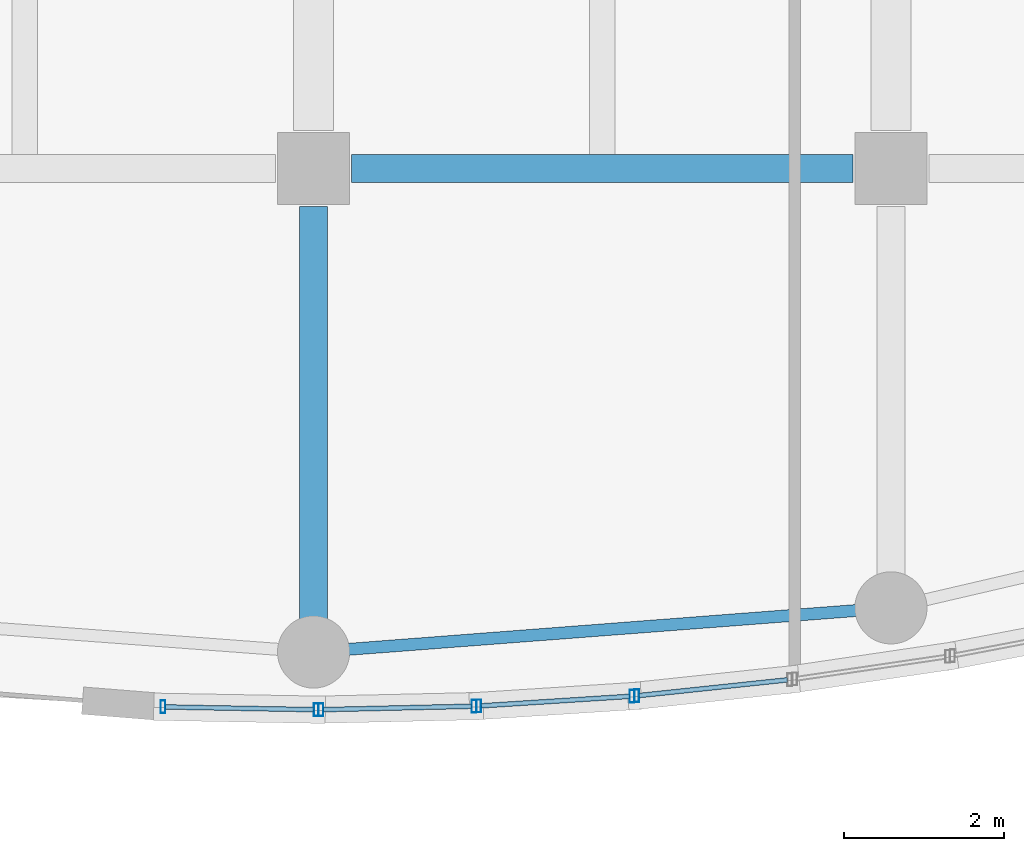
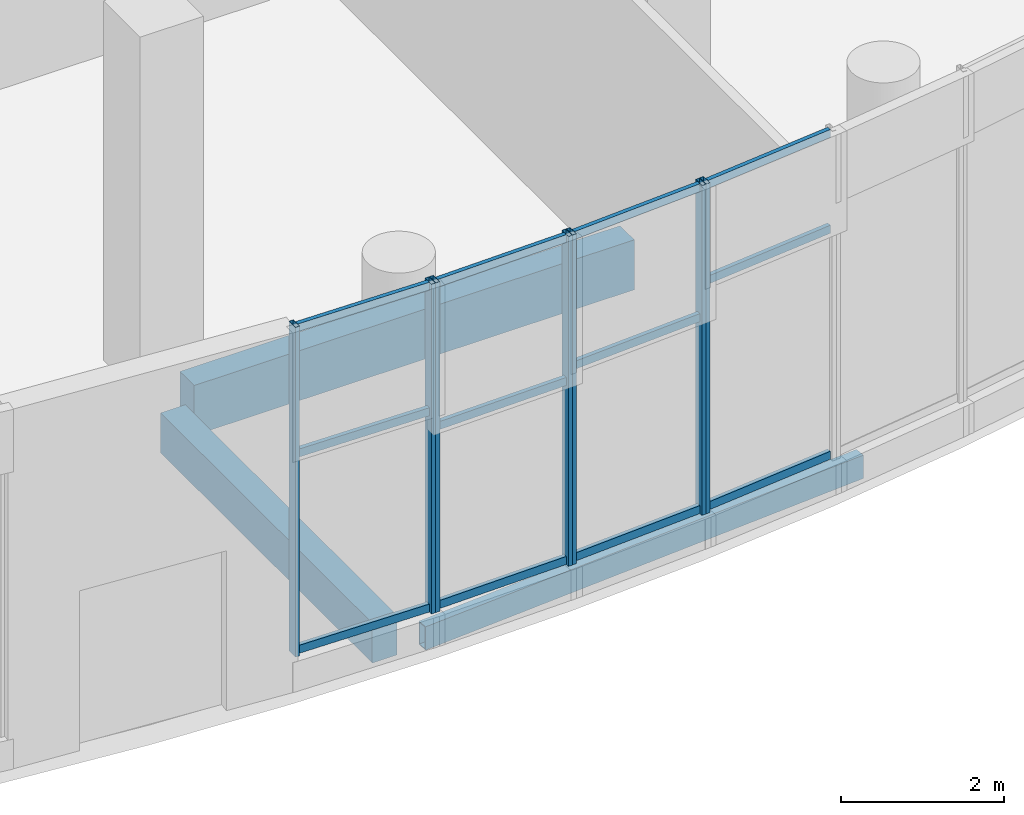
# One storey, part 74 of 192: 19 members, 3 beams, 4 elements without a shape of their own.
"""IFC4 building model written with IfcOpenShell, lengths in metres."""

from ifc_helpers import new_model, si_unit, direction, frame, origin, origin_2d, place, context, subcontext, project, spatial, rectangle, hollow_rectangle, extrude, material, material_profile, profile_set, type_object, element, aggregate, save


model = new_model("IFC4")

# Units and contexts
model_context = context("Model", 3, precision=1e-05, world=origin(), true_north=direction((0.0, 1.0)))
body_context = subcontext(model_context, "Body", "Model", "MODEL_VIEW")
ifc_project = project(units=[si_unit("LENGTHUNIT", "METRE"), si_unit("AREAUNIT", "SQUARE_METRE"), si_unit("VOLUMEUNIT", "CUBIC_METRE"), si_unit("PLANEANGLEUNIT", "RADIAN"), si_unit("MASSUNIT", "GRAM", prefix="KILO")], contexts=[model_context])

# Site, building, storey
site_placement = place(None, origin())
site = spatial("IfcSite", under=ifc_project, at=site_placement, CompositionType="ELEMENT")
building_placement = place(site_placement, origin())
building = spatial("IfcBuilding", under=site, at=building_placement, Name="Cendralis Lancet Convention Centre", CompositionType="ELEMENT")
storey_placement = place(building_placement, origin())
storey = spatial("IfcBuildingStorey", under=building, at=storey_placement, Name="L00", CompositionType="ELEMENT", Elevation=0.0)

# Curtain wall, members
ifc_material_1 = material(Name="Anodised bronze architectural aluminium", Category="aluminium")
curtain_wall_type = type_object("IfcCurtainWallType", Name="ARC-CW-WF02", PredefinedType="USERDEFINED", material=ifc_material_1)
curtain_wall_1_placement = place(storey_placement, origin())
curtain_wall_1 = element("IfcCurtainWall", 1, at=curtain_wall_1_placement, inside=storey, type_object=curtain_wall_type, Name="L00 Curtain Wall CW-WF2 #064", ObjectType="CURTAIN WALL", PredefinedType="USERDEFINED")
ifc_material_profile_1 = material_profile(ifc_material_1, hollow_rectangle(XDim=0.06005859375, YDim=0.159912109375, WallThickness=0.00390625, at=origin_2d()), Name="AL-MULL 60x160x4.0")
ifc_profile_set_1 = profile_set([ifc_material_profile_1], Name="Anodised bronze architectural aluminium")
member_type_1 = type_object("IfcMemberType", Name="ARC-CW-ML01", PredefinedType="MULLION", material=ifc_profile_set_1)
member_1_placement = place(storey_placement, frame((151.721923828125, 0.485595703125, 0.449951171875), z_axis=(0.0, 0.0, 1.0), x_axis=(1.0, 0.0, 0.0)))
member_1 = element("IfcMember", 2, at=member_1_placement, type_object=member_type_1, Name="Mullion CW2-CW-WF2-L00-064-M0", PredefinedType="MULLION", context=body_context, shape_type="SweptSolid", body=[
    extrude(hollow_rectangle(XDim=0.06005859375, YDim=0.159912109375, WallThickness=0.00390625, at=origin_2d()), origin(), (0.0, 0.0, 1.0), 4.949951171875),
])
member_2_placement = place(storey_placement, frame((153.632080078125, 0.450439453125, 0.449951171875), z_axis=(0.0, 0.0, 1.0), x_axis=(1.0, 0.0, 0.0)))
member_2 = element("IfcMember", 3, at=member_2_placement, type_object=member_type_1, Name="Mullion CW2-CW-WF2-L00-064-M1", PredefinedType="MULLION", context=body_context, shape_type="SweptSolid", body=[
    extrude(hollow_rectangle(XDim=0.06005859375, YDim=0.159912109375, WallThickness=0.00390625, at=origin_2d()), origin(), (0.0, 0.0, 1.0), 4.949951171875),
])

curtain_wall_2_placement = place(storey_placement, origin())
curtain_wall_2 = element("IfcCurtainWall", 4, at=curtain_wall_2_placement, inside=storey, type_object=curtain_wall_type, Name="L00 Curtain Wall CW-WF2 #065", ObjectType="CURTAIN WALL", PredefinedType="USERDEFINED")
member_3_placement = place(storey_placement, frame((153.69189453125, 0.45068359375, 0.449951171875), z_axis=(0.0, 0.0, 1.0), x_axis=(1.0, 0.0, 0.0)))
member_3 = element("IfcMember", 5, at=member_3_placement, type_object=member_type_1, Name="Mullion CW2-CW-WF2-L00-065-M0", PredefinedType="MULLION", context=body_context, shape_type="SweptSolid", body=[
    extrude(hollow_rectangle(XDim=0.06005859375, YDim=0.159912109375, WallThickness=0.00390625, at=origin_2d()), origin(), (0.0, 0.0, 1.0), 4.949951171875),
])
member_4_placement = place(storey_placement, frame((155.60107421875, 0.494384765625, 0.449951171875), z_axis=(0.0, 0.0, 1.0), x_axis=(1.0, 0.0, 0.0)))
member_4 = element("IfcMember", 6, at=member_4_placement, type_object=member_type_1, Name="Mullion CW2-CW-WF2-L00-065-M1", PredefinedType="MULLION", context=body_context, shape_type="SweptSolid", body=[
    extrude(hollow_rectangle(XDim=0.06005859375, YDim=0.159912109375, WallThickness=0.00390625, at=origin_2d()), origin(), (0.0, 0.0, 1.0), 4.949951171875),
])

curtain_wall_3_placement = place(storey_placement, origin())
curtain_wall_3 = element("IfcCurtainWall", 7, at=curtain_wall_3_placement, inside=storey, type_object=curtain_wall_type, Name="L00 Curtain Wall CW-WF2 #066", ObjectType="CURTAIN WALL", PredefinedType="USERDEFINED")
member_5_placement = place(storey_placement, frame((155.660888671875, 0.496826171875, 0.449951171875), z_axis=(0.0, 0.0, 1.0), x_axis=(1.0, 0.0, 0.0)))
member_5 = element("IfcMember", 8, at=member_5_placement, type_object=member_type_1, Name="Mullion CW2-CW-WF2-L00-066-M0", PredefinedType="MULLION", context=body_context, shape_type="SweptSolid", body=[
    extrude(hollow_rectangle(XDim=0.06005859375, YDim=0.159912109375, WallThickness=0.00390625, at=origin_2d()), origin(), (0.0, 0.0, 1.0), 4.949951171875),
])
member_6_placement = place(storey_placement, frame((157.570068359375, 0.619140625, 0.449951171875), z_axis=(0.0, 0.0, 1.0), x_axis=(1.0, 0.0, 0.0)))
member_6 = element("IfcMember", 9, at=member_6_placement, type_object=member_type_1, Name="Mullion CW2-CW-WF2-L00-066-M1", PredefinedType="MULLION", context=body_context, shape_type="SweptSolid", body=[
    extrude(hollow_rectangle(XDim=0.06005859375, YDim=0.159912109375, WallThickness=0.00390625, at=origin_2d()), origin(), (0.0, 0.0, 1.0), 4.949951171875),
])

# Curtain wall, member
curtain_wall_4_placement = place(storey_placement, origin())
curtain_wall_4 = element("IfcCurtainWall", 10, at=curtain_wall_4_placement, inside=storey, type_object=curtain_wall_type, Name="L00 Curtain Wall CW-WF2 #067", ObjectType="CURTAIN WALL", PredefinedType="USERDEFINED")
member_7_placement = place(storey_placement, frame((157.6298828125, 0.624267578125, 0.449951171875), z_axis=(0.0, 0.0, 1.0), x_axis=(1.0, 0.0, 0.0)))
member_7 = element("IfcMember", 11, at=member_7_placement, type_object=member_type_1, Name="Mullion CW2-CW-WF2-L00-067-M0", PredefinedType="MULLION", context=body_context, shape_type="SweptSolid", body=[
    extrude(hollow_rectangle(XDim=0.06005859375, YDim=0.159912109375, WallThickness=0.00390625, at=origin_2d()), origin(), (0.0, 0.0, 1.0), 4.949951171875),
])

# Member
ifc_material_profile_2 = material_profile(ifc_material_1, hollow_rectangle(XDim=0.06005859375, YDim=0.1201171875, WallThickness=0.00390625, at=origin_2d()), Name="AL-TRAN 60x120x4.0")
ifc_profile_set_2 = profile_set([ifc_material_profile_2], Name="Anodised bronze architectural aluminium")
member_type_2 = type_object("IfcMemberType", Name="ARC-CW-TR01", PredefinedType="USERDEFINED", material=ifc_profile_set_2)
member_8_placement = place(storey_placement, frame((151.751953125, 0.48486328125, 0.510009765625), z_axis=(0.999834228078, -0.018207590852, 0.0), x_axis=(0.018207590852, 0.999834228078, 0.0)))
member_8 = element("IfcMember", 12, at=member_8_placement, type_object=member_type_2, Name="Transom CW2-CW-WF2-L00-064-T0BOT", ObjectType="TRANSOM", PredefinedType="USERDEFINED", context=body_context, shape_type="SweptSolid", body=[
    extrude(hollow_rectangle(XDim=0.06005859375, YDim=0.1201171875, WallThickness=0.00390625, at=origin_2d()), origin(), (0.0, 0.0, 1.0), 1.850341796875),
])

member_9_placement = place(storey_placement, frame((151.751953125, 0.48486328125, 3.45703125), z_axis=(0.999834228078, -0.018207590852, 0.0), x_axis=(0.018207590852, 0.999834228078, 0.0)))
member_9 = element("IfcMember", 13, at=member_9_placement, type_object=member_type_2, Name="Transom CW2-CW-WF2-L00-064-T0MID", ObjectType="TRANSOM", PredefinedType="USERDEFINED", context=body_context, shape_type="SweptSolid", body=[
    extrude(hollow_rectangle(XDim=0.06005859375, YDim=0.1201171875, WallThickness=0.00390625, at=origin_2d()), origin(), (0.0, 0.0, 1.0), 1.850341796875),
])

member_10_placement = place(storey_placement, frame((151.751953125, 0.48486328125, 5.340087890625), z_axis=(0.999834228078, -0.018207590852, 0.0), x_axis=(0.018207590852, 0.999834228078, 0.0)))
member_10 = element("IfcMember", 14, at=member_10_placement, type_object=member_type_2, Name="Transom CW2-CW-WF2-L00-064-T0TOP", ObjectType="TRANSOM", PredefinedType="USERDEFINED", context=body_context, shape_type="SweptSolid", body=[
    extrude(hollow_rectangle(XDim=0.06005859375, YDim=0.1201171875, WallThickness=0.00390625, at=origin_2d()), origin(), (0.0, 0.0, 1.0), 1.850341796875),
])

aggregate(curtain_wall_1, [member_1, member_2, member_8, member_9, member_10])

member_11_placement = place(storey_placement, frame((153.721923828125, 0.451416015625, 0.510009765625), z_axis=(0.999739239555, 0.022835343074, 0.0), x_axis=(-0.022835343074, 0.999739239555, 0.0)))
member_11 = element("IfcMember", 15, at=member_11_placement, type_object=member_type_2, Name="Transom CW2-CW-WF2-L00-065-T0BOT", ObjectType="TRANSOM", PredefinedType="USERDEFINED", context=body_context, shape_type="SweptSolid", body=[
    extrude(hollow_rectangle(XDim=0.06005859375, YDim=0.1201171875, WallThickness=0.00390625, at=origin_2d()), origin(), (0.0, 0.0, 1.0), 1.849609375),
])

member_12_placement = place(storey_placement, frame((153.721923828125, 0.451416015625, 3.197021484375), z_axis=(0.999739239555, 0.022835343074, 0.0), x_axis=(-0.022835343074, 0.999739239555, 0.0)))
member_12 = element("IfcMember", 16, at=member_12_placement, type_object=member_type_2, Name="Transom CW2-CW-WF2-L00-065-T0MID", ObjectType="TRANSOM", PredefinedType="USERDEFINED", context=body_context, shape_type="SweptSolid", body=[
    extrude(hollow_rectangle(XDim=0.06005859375, YDim=0.1201171875, WallThickness=0.00390625, at=origin_2d()), origin(), (0.0, 0.0, 1.0), 1.849609375),
])

member_13_placement = place(storey_placement, frame((153.721923828125, 0.451416015625, 5.340087890625), z_axis=(0.999739239555, 0.022835343074, 0.0), x_axis=(-0.022835343074, 0.999739239555, 0.0)))
member_13 = element("IfcMember", 17, at=member_13_placement, type_object=member_type_2, Name="Transom CW2-CW-WF2-L00-065-T0TOP", ObjectType="TRANSOM", PredefinedType="USERDEFINED", context=body_context, shape_type="SweptSolid", body=[
    extrude(hollow_rectangle(XDim=0.06005859375, YDim=0.1201171875, WallThickness=0.00390625, at=origin_2d()), origin(), (0.0, 0.0, 1.0), 1.849609375),
])

aggregate(curtain_wall_2, [member_3, member_4, member_11, member_12, member_13])

member_14_placement = place(storey_placement, frame((155.69091796875, 0.498779296875, 0.510009765625), z_axis=(0.997956052308, 0.06390397219, 0.0), x_axis=(-0.06390397219, 0.997956052308, 0.0)))
member_14 = element("IfcMember", 18, at=member_14_placement, type_object=member_type_2, Name="Transom CW2-CW-WF2-L00-066-T0BOT", ObjectType="TRANSOM", PredefinedType="USERDEFINED", context=body_context, shape_type="SweptSolid", body=[
    extrude(hollow_rectangle(XDim=0.06005859375, YDim=0.1201171875, WallThickness=0.00390625, at=origin_2d()), origin(), (0.0, 0.0, 1.0), 1.85302734375),
])

member_15_placement = place(storey_placement, frame((155.69091796875, 0.498779296875, 3.39111328125), z_axis=(0.997956052308, 0.06390397219, 0.0), x_axis=(-0.06390397219, 0.997956052308, 0.0)))
member_15 = element("IfcMember", 19, at=member_15_placement, type_object=member_type_2, Name="Transom CW2-CW-WF2-L00-066-T0MID", ObjectType="TRANSOM", PredefinedType="USERDEFINED", context=body_context, shape_type="SweptSolid", body=[
    extrude(hollow_rectangle(XDim=0.06005859375, YDim=0.1201171875, WallThickness=0.00390625, at=origin_2d()), origin(), (0.0, 0.0, 1.0), 1.85302734375),
])

member_16_placement = place(storey_placement, frame((155.69091796875, 0.498779296875, 5.340087890625), z_axis=(0.997956052308, 0.06390397219, 0.0), x_axis=(-0.06390397219, 0.997956052308, 0.0)))
member_16 = element("IfcMember", 20, at=member_16_placement, type_object=member_type_2, Name="Transom CW2-CW-WF2-L00-066-T0TOP", ObjectType="TRANSOM", PredefinedType="USERDEFINED", context=body_context, shape_type="SweptSolid", body=[
    extrude(hollow_rectangle(XDim=0.06005859375, YDim=0.1201171875, WallThickness=0.00390625, at=origin_2d()), origin(), (0.0, 0.0, 1.0), 1.85302734375),
])

aggregate(curtain_wall_3, [member_5, member_6, member_14, member_15, member_16])

member_17_placement = place(storey_placement, frame((157.65966796875, 0.627197265625, 0.510009765625), z_axis=(0.994457157425, 0.105142579606, 0.0), x_axis=(-0.105142579606, 0.994457157425, 0.0)))
member_17 = element("IfcMember", 21, at=member_17_placement, type_object=member_type_2, Name="Transom CW2-CW-WF2-L00-067-T0BOT", ObjectType="TRANSOM", PredefinedType="USERDEFINED", context=body_context, shape_type="SweptSolid", body=[
    extrude(hollow_rectangle(XDim=0.06005859375, YDim=0.1201171875, WallThickness=0.00390625, at=origin_2d()), origin(), (0.0, 0.0, 1.0), 1.85986328125),
])

member_18_placement = place(storey_placement, frame((157.65966796875, 0.627197265625, 3.903076171875), z_axis=(0.994457157425, 0.105142579606, 0.0), x_axis=(-0.105142579606, 0.994457157425, 0.0)))
member_18 = element("IfcMember", 22, at=member_18_placement, type_object=member_type_2, Name="Transom CW2-CW-WF2-L00-067-T0MID", ObjectType="TRANSOM", PredefinedType="USERDEFINED", context=body_context, shape_type="SweptSolid", body=[
    extrude(hollow_rectangle(XDim=0.06005859375, YDim=0.1201171875, WallThickness=0.00390625, at=origin_2d()), origin(), (0.0, 0.0, 1.0), 1.85986328125),
])

member_19_placement = place(storey_placement, frame((157.65966796875, 0.627197265625, 5.340087890625), z_axis=(0.994457157425, 0.105142579606, 0.0), x_axis=(-0.105142579606, 0.994457157425, 0.0)))
member_19 = element("IfcMember", 23, at=member_19_placement, type_object=member_type_2, Name="Transom CW2-CW-WF2-L00-067-T0TOP", ObjectType="TRANSOM", PredefinedType="USERDEFINED", context=body_context, shape_type="SweptSolid", body=[
    extrude(hollow_rectangle(XDim=0.06005859375, YDim=0.1201171875, WallThickness=0.00390625, at=origin_2d()), origin(), (0.0, 0.0, 1.0), 1.85986328125),
])

aggregate(curtain_wall_4, [member_7, member_17, member_18, member_19])

# Beams
ifc_material_2 = material(Name="Concrete G35 (C35/45)", Category="concrete")
ifc_material_profile_3 = material_profile(ifc_material_2, rectangle(XDim=0.35009765625, YDim=0.60009765625, at=origin_2d()), Name="RCB 350x600")
ifc_profile_set_3 = profile_set([ifc_material_profile_3], Name="Concrete G35 (C35/45)")
beam_type_1 = type_object("IfcBeamType", Name="STR-BM-BG16", PredefinedType="BEAM", material=ifc_profile_set_3)
beam_1_placement = place(storey_placement, frame((153.60009765625, 1.52001953125, -0.6201171875), z_axis=(0.0, 1.0, 0.0), x_axis=(-1.0, 0.0, 0.0)))
element("IfcBeam", 24, at=beam_1_placement, inside=storey, type_object=beam_type_1, Name="L00 Beam BG16 #1028", PredefinedType="BEAM", context=body_context, shape_type="SweptSolid", body=[
    extrude(rectangle(XDim=0.35009765625, YDim=0.60009765625, at=origin_2d()), origin(), (0.0, 0.0, 1.0), 5.205078125),
])
ifc_material_3 = material(Name="Concrete G40 (C40/50)", Category="concrete")
ifc_material_profile_4 = material_profile(ifc_material_3, rectangle(XDim=0.35009765625, YDim=0.75, at=origin_2d()), Name="RCB 350x750")
ifc_profile_set_4 = profile_set([ifc_material_profile_4], Name="Concrete G40 (C40/50)")
beam_type_2 = type_object("IfcBeamType", Name="STR-SP-SP01", PredefinedType="SPANDREL", material=ifc_profile_set_4)
beam_2_placement = place(storey_placement, frame((154.074951171875, 7.199951171875, -0.695068359375), z_axis=(1.0, 0.0, 0.0), x_axis=(0.0, 1.0, 0.0)))
element("IfcBeam", 25, at=beam_2_placement, inside=storey, type_object=beam_type_2, Name="L00 Beam SP01 #0004", PredefinedType="SPANDREL", context=body_context, shape_type="SweptSolid", body=[
    extrude(rectangle(XDim=0.35009765625, YDim=0.75, at=origin_2d()), origin(), (0.0, 0.0, 1.0), 6.25),
])
ifc_material_4 = material(Name="Steel S355", Category="steel")
ifc_material_profile_5 = material_profile(ifc_material_4, hollow_rectangle(XDim=0.14990234375, YDim=0.35009765625, WallThickness=0.012451171875, at=origin_2d()), Name="RHS 350x150x12.5")
ifc_profile_set_5 = profile_set([ifc_material_profile_5], Name="Steel S355")
beam_type_3 = type_object("IfcBeamType", Name="STR-SP-SP04", PredefinedType="SPANDREL", material=ifc_profile_set_5)
beam_3_placement = place(storey_placement, frame((153.948974609375, 1.19677734375, -0.4951171875), z_axis=(0.997090493112, 0.07622695419, 0.0), x_axis=(-0.07622695419, 0.997090493112, 0.0)))
element("IfcBeam", 26, at=beam_3_placement, inside=storey, type_object=beam_type_3, Name="L00 Beam SP04 #1043", PredefinedType="SPANDREL", context=body_context, shape_type="SweptSolid", body=[
    extrude(hollow_rectangle(XDim=0.14990234375, YDim=0.35009765625, WallThickness=0.012451171875, at=origin_2d()), origin(), (0.0, 0.0, 1.0), 6.52099609375),
])

save(model, "model.ifc")
